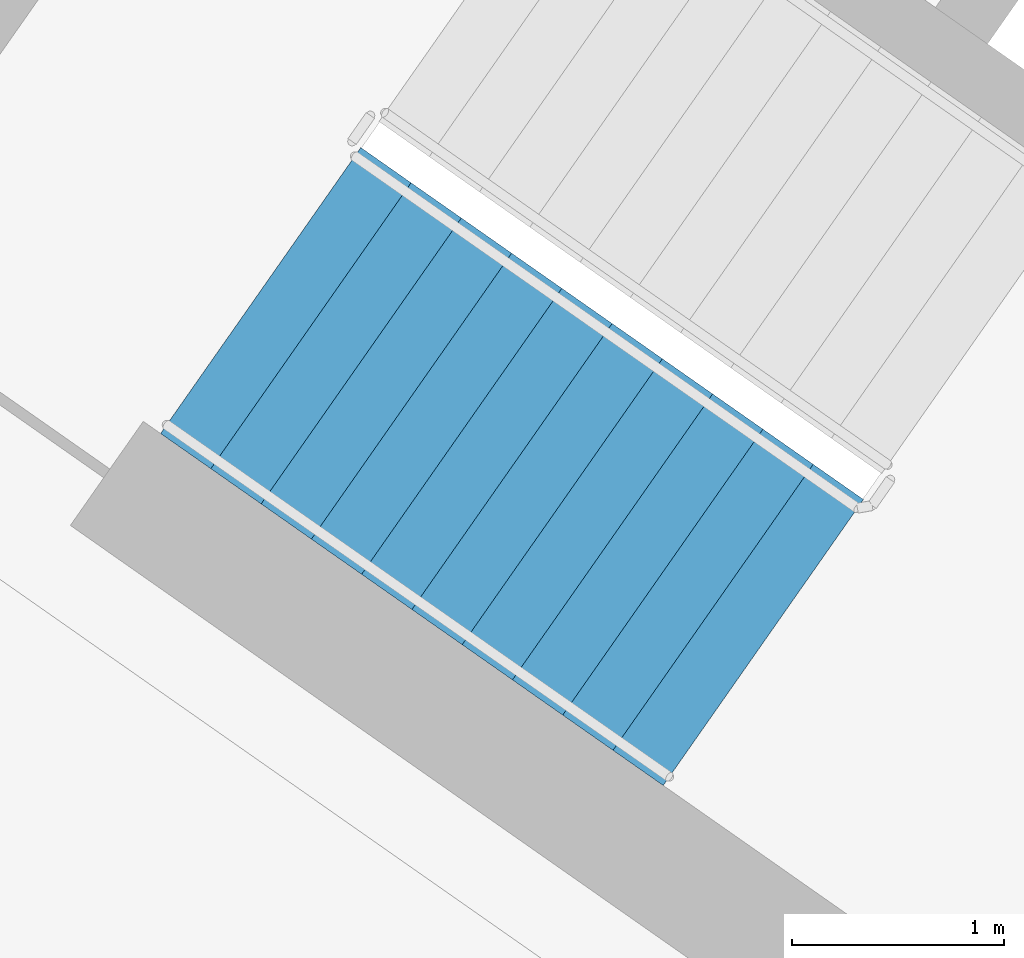
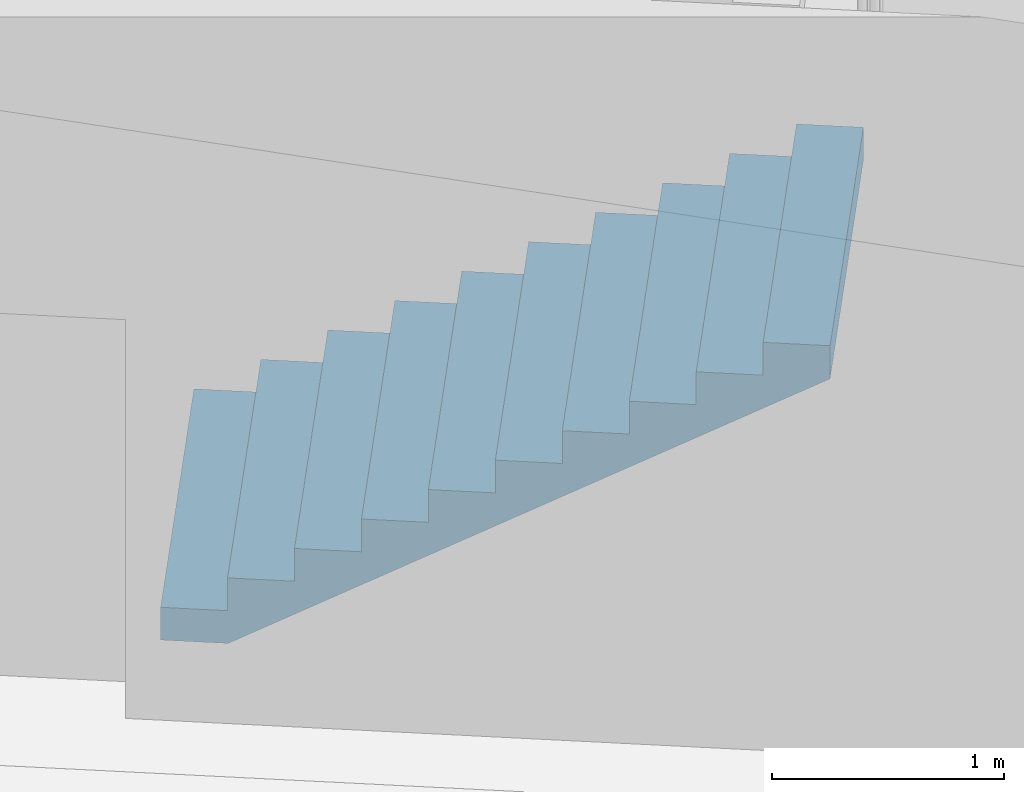
# One storey, part 9 of 27: 1 stair flight, 1 element without a shape of its own.
"""IFC4 building model written with IfcOpenShell, lengths in metres."""

import ifcopenshell
import ifcopenshell.guid

model = None  # the IFC model being written
_history = None  # IfcOwnerHistory: only IFC2X3 demands one
_inside = {}  # id of a spatial element -> (the spatial element, [elements in it])
_under = {}  # id of a project, library or spatial element -> (it, [spatial elements below it])
_declared = {}  # id of a project -> (the project, [libraries it declares])
_typed = {}  # id of a type object -> (the type object, [elements of that type])
_made_of = {}  # id of a material, layer set ... -> (it, [elements and type objects made of it])


def new_model(schema):
    """Start an empty IFC model of exactly this schema.

    Asked for "IFC4X3", IfcOpenShell would pick the latest addendum, in which some entities
    have other attributes; the version numbers below select the first issue.
    IFC2X3 requires an IfcOwnerHistory on every rooted entity: one is made here for all.
    """
    global model, _history
    if schema == "IFC4X3":
        model = ifcopenshell.file(schema_version=(4, 3, 0, 0))
    else:
        model = ifcopenshell.file(schema=schema)
    _inside.clear()
    _under.clear()
    _declared.clear()
    _typed.clear()
    _made_of.clear()
    _history = None
    if model.schema == "IFC2X3":
        org = make("IfcOrganization", Name="unknown")
        user = make(
            "IfcPersonAndOrganization",
            ThePerson=make("IfcPerson", FamilyName="unknown"),
            TheOrganization=org,
        )
        app = make(
            "IfcApplication",
            ApplicationDeveloper=org,
            Version="unknown",
            ApplicationFullName="unknown",
            ApplicationIdentifier="unknown",
        )
        _history = make(
            "IfcOwnerHistory",
            OwningUser=user,
            OwningApplication=app,
            ChangeAction="ADDED",
            CreationDate=0,
        )
    return model


def make(cls, **values):
    """One entity of the class cls with the attributes given. An attribute that is None is left unset."""
    return model.create_entity(
        cls, **{name: value for name, value in values.items() if value is not None}
    )


def rooted(cls, **values):
    """An entity with a GlobalId (a new one), such as an element, a storey or a relation."""
    return make(cls, GlobalId=ifcopenshell.guid.new(), OwnerHistory=_history, **values)


def si_unit(unit_type, name, prefix=None):
    """IfcSIUnit, for example si_unit("LENGTHUNIT", "METRE", prefix="MILLI")."""
    return make("IfcSIUnit", UnitType=unit_type, Prefix=prefix, Name=name)


def assignment(units):
    """IfcUnitAssignment: the units of a project."""
    return None if units is None else make("IfcUnitAssignment", Units=units)


def point(xyz):
    """IfcCartesianPoint."""
    return None if xyz is None else make("IfcCartesianPoint", Coordinates=xyz)


def direction(xyz):
    """IfcDirection."""
    return None if xyz is None else make("IfcDirection", DirectionRatios=xyz)


def frame(location, z_axis=None, x_axis=None):
    """IfcAxis2Placement3D, a coordinate frame: its origin and axes. An axis left out is left unset."""
    return make(
        "IfcAxis2Placement3D",
        Location=point(location),
        Axis=direction(z_axis),
        RefDirection=direction(x_axis),
    )


def origin():
    """The frame at (0, 0, 0) with its axes left unset."""
    return frame((0.0, 0.0, 0.0))


def place(relative_to, where):
    """IfcLocalPlacement: puts the frame where relative to a parent placement (None: the world)."""
    return make(
        "IfcLocalPlacement", PlacementRelTo=relative_to, RelativePlacement=where
    )


def context(
    kind, dimensions, precision=None, world=None, true_north=None, identifier=None
):
    """IfcGeometricRepresentationContext, for example the 3D "Model" context."""
    return make(
        "IfcGeometricRepresentationContext",
        ContextIdentifier=identifier,
        ContextType=kind,
        CoordinateSpaceDimension=dimensions,
        Precision=precision,
        WorldCoordinateSystem=world,
        TrueNorth=true_north,
    )


def subcontext(parent, identifier, kind, view, scale=None):
    """IfcGeometricRepresentationSubContext, for example "Body" below "Model"."""
    return make(
        "IfcGeometricRepresentationSubContext",
        ContextIdentifier=identifier,
        ContextType=kind,
        ParentContext=parent,
        TargetScale=scale,
        TargetView=view,
    )


def project(units=None, contexts=None):
    """IfcProject with its units and contexts."""
    return rooted(
        "IfcProject",
        Name="project",
        RepresentationContexts=contexts,
        UnitsInContext=assignment(units),
    )


def spatial(cls, under=None, at=None, **own):
    """A site, building, storey or space (cls), placed at a placement, below another one or the project."""
    s = rooted(cls, ObjectPlacement=at, **own)
    if under is not None:
        _under.setdefault(under.id(), (under, []))[1].append(s)
    return s


def faces_of(points, faces, orient=None, outer=None):
    """IfcFace entities. A face is a list of loops; a loop is a list of indices into points, from 0.

    orient and outer hold one flag for each loop. By default every Orientation is true, the
    first loop of a face is its IfcFaceOuterBound and the others are IfcFaceBound.
    """
    made = []
    for i, loops in enumerate(faces):
        bounds = []
        for j, loop in enumerate(loops):
            is_outer = j == 0 if outer is None else outer[i][j]
            bounds.append(
                make(
                    "IfcFaceOuterBound" if is_outer else "IfcFaceBound",
                    Bound=make("IfcPolyLoop", Polygon=[points[k] for k in loop]),
                    Orientation=True if orient is None else orient[i][j],
                )
            )
        made.append(make("IfcFace", Bounds=bounds))
    return made


def faceted_brep(points, faces, orient=None, outer=None, voids=None):
    """IfcFacetedBrep: a solid bounded by flat faces; with voids (closed shells), ...WithVoids."""
    shared = [point(p) for p in points]
    hull = make("IfcClosedShell", CfsFaces=faces_of(shared, faces, orient, outer))
    if voids is None:
        return make("IfcFacetedBrep", Outer=hull)
    return make(
        "IfcFacetedBrepWithVoids",
        Outer=hull,
        Voids=[
            make(cls, CfsFaces=faces_of(shared, fs, o, b)) for cls, fs, o, b in voids
        ],
    )


def shape(context_of_items, identifier, shape_type, items):
    """IfcShapeRepresentation: the items that make up one representation, for example the "Body"."""
    return make(
        "IfcShapeRepresentation",
        ContextOfItems=context_of_items,
        RepresentationIdentifier=identifier,
        RepresentationType=shape_type,
        Items=items,
    )


def material(Name=None, Category=None):
    """IfcMaterial."""
    return make("IfcMaterial", Name=Name, Category=Category)


def made_of(thing, what):
    """Note that an element or type object is made of a material, layer set ...; save() writes the relation."""
    if what is not None:
        _made_of.setdefault(what.id(), (what, []))[1].append(thing)
    return thing


def type_object(cls, material=None, **own):
    """A type object (cls), such as IfcWallType, which elements share."""
    return made_of(rooted(cls, **own), material)


def element(
    cls,
    number,
    at=None,
    inside=None,
    cuts=None,
    type_object=None,
    material=None,
    context=None,
    identifier="Body",
    shape_type=None,
    held_by="IfcProductDefinitionShape",
    body=None,
    shapes=None,
    **own,
):
    """One element of the class cls, such as IfcWall. Its Tag is "e" and its number.

    at: its placement. inside: the storey or other place that contains it. cuts: it is an
    opening in that element (IfcRelVoidsElement). A single representation is given by context,
    identifier, shape_type and body (its items); several are given by shapes. held_by: the class
    of the entity that holds the representations. save() writes the other relations.
    """
    e = rooted(cls, Tag="e%d" % number, ObjectPlacement=at, **own)
    if body is not None:
        shapes = [shape(context, identifier, shape_type, body)]
    if shapes is not None:
        e.Representation = make(held_by, Representations=shapes)
    if inside is not None:
        _inside.setdefault(inside.id(), (inside, []))[1].append(e)
    if cuts is not None:
        rooted(
            "IfcRelVoidsElement", RelatingBuildingElement=cuts, RelatedOpeningElement=e
        )
    if type_object is not None:
        _typed.setdefault(type_object.id(), (type_object, []))[1].append(e)
    return made_of(e, material)


def aggregate(whole, parts):
    """IfcRelAggregates: a whole, such as a stair, and the parts it consists of."""
    return rooted("IfcRelAggregates", RelatingObject=whole, RelatedObjects=parts)


def save(model, path):
    """Write the relations noted so far, then the file.

    IfcRelAggregates (storeys below a building ...), IfcRelContainedInSpatialStructure (elements
    in a storey), IfcRelDefinesByType, IfcRelAssociatesMaterial and IfcRelDeclares: one each for
    every whole, place, type object, material and project.
    """
    for whole, parts in _under.values():
        aggregate(whole, parts)
    for where, things in _inside.values():
        rooted(
            "IfcRelContainedInSpatialStructure",
            RelatedElements=things,
            RelatingStructure=where,
        )
    for kind, things in _typed.values():
        rooted("IfcRelDefinesByType", RelatedObjects=things, RelatingType=kind)
    for what, things in _made_of.values():
        rooted("IfcRelAssociatesMaterial", RelatedObjects=things, RelatingMaterial=what)
    for by, libraries in _declared.values():
        rooted("IfcRelDeclares", RelatingContext=by, RelatedDefinitions=libraries)
    model.write(path)


model = new_model("IFC4")

# Units and contexts
model_context = context("Model", 3, precision=1e-05, world=origin(), true_north=direction((0.0, 1.0)))
body_context = subcontext(model_context, "Body", "Model", "MODEL_VIEW")
ifc_project = project(units=[si_unit("LENGTHUNIT", "METRE"), si_unit("AREAUNIT", "SQUARE_METRE"), si_unit("VOLUMEUNIT", "CUBIC_METRE"), si_unit("PLANEANGLEUNIT", "RADIAN"), si_unit("MASSUNIT", "GRAM", prefix="KILO")], contexts=[model_context])

# Site, building, storey
site_placement = place(None, origin())
site = spatial("IfcSite", under=ifc_project, at=site_placement, CompositionType="ELEMENT")
building_placement = place(site_placement, origin())
building = spatial("IfcBuilding", under=site, at=building_placement, Name="Qamariyya Broadcast Tower", CompositionType="ELEMENT")
storey_placement = place(building_placement, frame((0.0, 0.0, 211.300048828125)))
storey = spatial("IfcBuildingStorey", under=building, at=storey_placement, Name="L50", CompositionType="ELEMENT", Elevation=211.300048828125)

# Stair, stair flight
ifc_material = material(Name="Concrete C50/60", Category="concrete")
stair_type = type_object("IfcStairType", Name="Exit stair 22 risers of 173 mm", PredefinedType="HALF_TURN_STAIR", material=ifc_material)
stair_placement = place(storey_placement, origin())
stair = element("IfcStair", 1, at=stair_placement, inside=storey, type_object=stair_type, Name="L50 Stair W1", PredefinedType="HALF_TURN_STAIR")
stair_flight_type = type_object("IfcStairFlightType", Name="Exit stair flight 11 risers of 173 mm", PredefinedType="STRAIGHT", material=ifc_material)
stair_flight_placement = place(storey_placement, frame((-47.06884765625, -56.982666015625, 0.0), z_axis=(0.0, 0.0, 1.0), x_axis=(0.819152044289, -0.573576436351, 0.0)))
stair_flight = element("IfcStairFlight", 2, at=stair_flight_placement, type_object=stair_flight_type, Name="ST-W1 flight 1", NumberOfRisers=11, NumberOfTreads=10, PredefinedType="STRAIGHT", RiserHeight=0.172727273, TreadLength=0.29, context=body_context, shape_type="Brep", body=[
    faceted_brep([(0.0, 0.824951171875, 0.0), (0.0, 0.824951171875, 0.172607421875), (0.2900390625, 0.824951171875, 0.172607421875), (0.2900390625, 0.824951171875, 0.345458984375), (0.580078125, 0.824951171875, 0.345458984375), (0.580078125, 0.824951171875, 0.51806640625), (0.8701171875, 0.824951171875, 0.51806640625), (0.8701171875, 0.824951171875, 0.69091796875), (1.159912109375, 0.824951171875, 0.69091796875), (1.159912109375, 0.824951171875, 0.863525390625), (1.449951171875, 0.824951171875, 0.863525390625), (1.449951171875, 0.824951171875, 1.036376953125), (1.739990234375, 0.824951171875, 1.036376953125), (1.739990234375, 0.824951171875, 1.208984375), (2.030029296875, 0.824951171875, 1.208984375), (2.030029296875, 0.824951171875, 1.3818359375), (2.320068359375, 0.824951171875, 1.3818359375), (2.320068359375, 0.824951171875, 1.554443359375), (2.610107421875, 0.824951171875, 1.554443359375), (2.610107421875, 0.824951171875, 1.727294921875), (2.89990234375, 0.824951171875, 1.727294921875), (2.89990234375, 0.824951171875, 1.552734375), (0.29296875, 0.824951171875, 0.0), (0.29296875, -0.824951171875, 0.0), (2.89990234375, -0.824951171875, 1.552734375), (2.89990234375, -0.824951171875, 1.727294921875), (2.610107421875, -0.824951171875, 1.727294921875), (2.610107421875, -0.824951171875, 1.554443359375), (2.320068359375, -0.824951171875, 1.554443359375), (2.320068359375, -0.824951171875, 1.3818359375), (2.030029296875, -0.824951171875, 1.3818359375), (2.030029296875, -0.824951171875, 1.208984375), (1.739990234375, -0.824951171875, 1.208984375), (1.739990234375, -0.824951171875, 1.036376953125), (1.449951171875, -0.824951171875, 1.036376953125), (1.449951171875, -0.824951171875, 0.863525390625), (1.159912109375, -0.824951171875, 0.863525390625), (1.159912109375, -0.824951171875, 0.69091796875), (0.8701171875, -0.824951171875, 0.69091796875), (0.8701171875, -0.824951171875, 0.51806640625), (0.580078125, -0.824951171875, 0.51806640625), (0.580078125, -0.824951171875, 0.345458984375), (0.2900390625, -0.824951171875, 0.345458984375), (0.2900390625, -0.824951171875, 0.172607421875), (0.0, -0.824951171875, 0.172607421875), (0.0, -0.824951171875, 0.0), (0.0, 0.10009765625, 0.0), (0.0, 0.086669921875, 0.0), (0.0, 0.0732421875, 0.0), (0.0, 0.06005859375, 0.0), (0.0, 0.046630859375, 0.0), (0.0, 0.033447265625, 0.0), (0.0, 0.02001953125, 0.0), (0.0, 0.006591796875, 0.0), (0.0, -0.006591796875, 0.0), (0.0, -0.02001953125, 0.0), (0.0, -0.033447265625, 0.0), (0.0, -0.046630859375, 0.0), (0.0, -0.06005859375, 0.0), (0.0, -0.0732421875, 0.0), (0.0, -0.086669921875, 0.0), (0.0, -0.10009765625, 0.0), (0.0, -0.10009765625, 0.172607421875), (0.0, -0.086669921875, 0.172607421875), (0.0, -0.0732421875, 0.172607421875), (0.0, -0.06005859375, 0.172607421875), (0.0, -0.046630859375, 0.172607421875), (0.0, -0.033447265625, 0.172607421875), (0.0, -0.02001953125, 0.172607421875), (0.0, -0.006591796875, 0.172607421875), (0.0, 0.006591796875, 0.172607421875), (0.0, 0.02001953125, 0.172607421875), (0.0, 0.033447265625, 0.172607421875), (0.0, 0.046630859375, 0.172607421875), (0.0, 0.06005859375, 0.172607421875), (0.0, 0.0732421875, 0.172607421875), (0.0, 0.086669921875, 0.172607421875), (0.0, 0.10009765625, 0.172607421875), (0.2900390625, -0.10009765625, 0.172607421875), (0.2900390625, -0.086669921875, 0.172607421875), (0.2900390625, -0.0732421875, 0.172607421875), (0.2900390625, -0.06005859375, 0.172607421875), (0.2900390625, -0.046630859375, 0.172607421875), (0.2900390625, -0.033447265625, 0.172607421875), (0.2900390625, -0.02001953125, 0.172607421875), (0.2900390625, -0.006591796875, 0.172607421875), (0.2900390625, 0.006591796875, 0.172607421875), (0.2900390625, 0.02001953125, 0.172607421875), (0.2900390625, 0.033447265625, 0.172607421875), (0.2900390625, 0.046630859375, 0.172607421875), (0.2900390625, 0.06005859375, 0.172607421875), (0.2900390625, 0.0732421875, 0.172607421875), (0.2900390625, 0.086669921875, 0.172607421875), (0.2900390625, 0.10009765625, 0.172607421875), (0.2900390625, -0.10009765625, 0.345458984375), (0.2900390625, -0.086669921875, 0.345458984375), (0.2900390625, -0.0732421875, 0.345458984375), (0.2900390625, -0.06005859375, 0.345458984375), (0.2900390625, -0.046630859375, 0.345458984375), (0.2900390625, -0.033447265625, 0.345458984375), (0.2900390625, -0.02001953125, 0.345458984375), (0.2900390625, -0.006591796875, 0.345458984375), (0.2900390625, 0.006591796875, 0.345458984375), (0.2900390625, 0.02001953125, 0.345458984375), (0.2900390625, 0.033447265625, 0.345458984375), (0.2900390625, 0.046630859375, 0.345458984375), (0.2900390625, 0.06005859375, 0.345458984375), (0.2900390625, 0.0732421875, 0.345458984375), (0.2900390625, 0.086669921875, 0.345458984375), (0.2900390625, 0.10009765625, 0.345458984375), (0.580078125, -0.10009765625, 0.345458984375), (0.580078125, -0.086669921875, 0.345458984375), (0.580078125, -0.0732421875, 0.345458984375), (0.580078125, -0.06005859375, 0.345458984375), (0.580078125, -0.046630859375, 0.345458984375), (0.580078125, -0.033447265625, 0.345458984375), (0.580078125, -0.02001953125, 0.345458984375), (0.580078125, -0.006591796875, 0.345458984375), (0.580078125, 0.006591796875, 0.345458984375), (0.580078125, 0.02001953125, 0.345458984375), (0.580078125, 0.033447265625, 0.345458984375), (0.580078125, 0.046630859375, 0.345458984375), (0.580078125, 0.06005859375, 0.345458984375), (0.580078125, 0.0732421875, 0.345458984375), (0.580078125, 0.086669921875, 0.345458984375), (0.580078125, 0.10009765625, 0.345458984375), (0.580078125, -0.10009765625, 0.51806640625), (0.580078125, -0.086669921875, 0.51806640625), (0.580078125, -0.0732421875, 0.51806640625), (0.580078125, -0.06005859375, 0.51806640625), (0.580078125, -0.046630859375, 0.51806640625), (0.580078125, -0.033447265625, 0.51806640625), (0.580078125, -0.02001953125, 0.51806640625), (0.580078125, -0.006591796875, 0.51806640625), (0.580078125, 0.006591796875, 0.51806640625), (0.580078125, 0.02001953125, 0.51806640625), (0.580078125, 0.033447265625, 0.51806640625), (0.580078125, 0.046630859375, 0.51806640625), (0.580078125, 0.06005859375, 0.51806640625), (0.580078125, 0.0732421875, 0.51806640625), (0.580078125, 0.086669921875, 0.51806640625), (0.580078125, 0.10009765625, 0.51806640625), (0.8701171875, -0.10009765625, 0.51806640625), (0.8701171875, -0.086669921875, 0.51806640625), (0.8701171875, -0.0732421875, 0.51806640625), (0.8701171875, -0.06005859375, 0.51806640625), (0.8701171875, -0.046630859375, 0.51806640625), (0.8701171875, -0.033447265625, 0.51806640625), (0.8701171875, -0.02001953125, 0.51806640625), (0.8701171875, -0.006591796875, 0.51806640625), (0.8701171875, 0.006591796875, 0.51806640625), (0.8701171875, 0.02001953125, 0.51806640625), (0.8701171875, 0.033447265625, 0.51806640625), (0.8701171875, 0.046630859375, 0.51806640625), (0.8701171875, 0.06005859375, 0.51806640625), (0.8701171875, 0.0732421875, 0.51806640625), (0.8701171875, 0.086669921875, 0.51806640625), (0.8701171875, 0.10009765625, 0.51806640625), (0.8701171875, -0.10009765625, 0.69091796875), (0.8701171875, -0.086669921875, 0.69091796875), (0.8701171875, -0.0732421875, 0.69091796875), (0.8701171875, -0.06005859375, 0.69091796875), (0.8701171875, -0.046630859375, 0.69091796875), (0.8701171875, -0.033447265625, 0.69091796875), (0.8701171875, -0.02001953125, 0.69091796875), (0.8701171875, -0.006591796875, 0.69091796875), (0.8701171875, 0.006591796875, 0.69091796875), (0.8701171875, 0.02001953125, 0.69091796875), (0.8701171875, 0.033447265625, 0.69091796875), (0.8701171875, 0.046630859375, 0.69091796875), (0.8701171875, 0.06005859375, 0.69091796875), (0.8701171875, 0.0732421875, 0.69091796875), (0.8701171875, 0.086669921875, 0.69091796875), (0.8701171875, 0.10009765625, 0.69091796875), (1.159912109375, -0.10009765625, 0.69091796875), (1.159912109375, -0.086669921875, 0.69091796875), (1.159912109375, -0.0732421875, 0.69091796875), (1.159912109375, -0.06005859375, 0.69091796875), (1.159912109375, -0.046630859375, 0.69091796875), (1.159912109375, -0.033447265625, 0.69091796875), (1.159912109375, -0.02001953125, 0.69091796875), (1.159912109375, -0.006591796875, 0.69091796875), (1.159912109375, 0.006591796875, 0.69091796875), (1.159912109375, 0.02001953125, 0.69091796875), (1.159912109375, 0.033447265625, 0.69091796875), (1.159912109375, 0.046630859375, 0.69091796875), (1.159912109375, 0.06005859375, 0.69091796875), (1.159912109375, 0.0732421875, 0.69091796875), (1.159912109375, 0.086669921875, 0.69091796875), (1.159912109375, 0.10009765625, 0.69091796875), (1.159912109375, -0.10009765625, 0.863525390625), (1.159912109375, -0.086669921875, 0.863525390625), (1.159912109375, -0.0732421875, 0.863525390625), (1.159912109375, -0.06005859375, 0.863525390625), (1.159912109375, -0.046630859375, 0.863525390625), (1.159912109375, -0.033447265625, 0.863525390625), (1.159912109375, -0.02001953125, 0.863525390625), (1.159912109375, -0.006591796875, 0.863525390625), (1.159912109375, 0.006591796875, 0.863525390625), (1.159912109375, 0.02001953125, 0.863525390625), (1.159912109375, 0.033447265625, 0.863525390625), (1.159912109375, 0.046630859375, 0.863525390625), (1.159912109375, 0.06005859375, 0.863525390625), (1.159912109375, 0.0732421875, 0.863525390625), (1.159912109375, 0.086669921875, 0.863525390625), (1.159912109375, 0.10009765625, 0.863525390625), (1.449951171875, -0.10009765625, 0.863525390625), (1.449951171875, -0.086669921875, 0.863525390625), (1.449951171875, -0.0732421875, 0.863525390625), (1.449951171875, -0.06005859375, 0.863525390625), (1.449951171875, -0.046630859375, 0.863525390625), (1.449951171875, -0.033447265625, 0.863525390625), (1.449951171875, -0.02001953125, 0.863525390625), (1.449951171875, -0.006591796875, 0.863525390625), (1.449951171875, 0.006591796875, 0.863525390625), (1.449951171875, 0.02001953125, 0.863525390625), (1.449951171875, 0.033447265625, 0.863525390625), (1.449951171875, 0.046630859375, 0.863525390625), (1.449951171875, 0.06005859375, 0.863525390625), (1.449951171875, 0.0732421875, 0.863525390625), (1.449951171875, 0.086669921875, 0.863525390625), (1.449951171875, 0.10009765625, 0.863525390625), (1.449951171875, -0.10009765625, 1.036376953125), (1.449951171875, -0.086669921875, 1.036376953125), (1.449951171875, -0.0732421875, 1.036376953125), (1.449951171875, -0.06005859375, 1.036376953125), (1.449951171875, -0.046630859375, 1.036376953125), (1.449951171875, -0.033447265625, 1.036376953125), (1.449951171875, -0.02001953125, 1.036376953125), (1.449951171875, -0.006591796875, 1.036376953125), (1.449951171875, 0.006591796875, 1.036376953125), (1.449951171875, 0.02001953125, 1.036376953125), (1.449951171875, 0.033447265625, 1.036376953125), (1.449951171875, 0.046630859375, 1.036376953125), (1.449951171875, 0.06005859375, 1.036376953125), (1.449951171875, 0.0732421875, 1.036376953125), (1.449951171875, 0.086669921875, 1.036376953125), (1.449951171875, 0.10009765625, 1.036376953125), (1.739990234375, -0.10009765625, 1.036376953125), (1.739990234375, -0.086669921875, 1.036376953125), (1.739990234375, -0.0732421875, 1.036376953125), (1.739990234375, -0.06005859375, 1.036376953125), (1.739990234375, -0.046630859375, 1.036376953125), (1.739990234375, -0.033447265625, 1.036376953125), (1.739990234375, -0.02001953125, 1.036376953125), (1.739990234375, -0.006591796875, 1.036376953125), (1.739990234375, 0.006591796875, 1.036376953125), (1.739990234375, 0.02001953125, 1.036376953125), (1.739990234375, 0.033447265625, 1.036376953125), (1.739990234375, 0.046630859375, 1.036376953125), (1.739990234375, 0.06005859375, 1.036376953125), (1.739990234375, 0.0732421875, 1.036376953125), (1.739990234375, 0.086669921875, 1.036376953125), (1.739990234375, 0.10009765625, 1.036376953125), (1.739990234375, -0.10009765625, 1.208984375), (1.739990234375, -0.086669921875, 1.208984375), (1.739990234375, -0.0732421875, 1.208984375), (1.739990234375, -0.06005859375, 1.208984375), (1.739990234375, -0.046630859375, 1.208984375), (1.739990234375, -0.033447265625, 1.208984375), (1.739990234375, -0.02001953125, 1.208984375), (1.739990234375, -0.006591796875, 1.208984375), (1.739990234375, 0.006591796875, 1.208984375), (1.739990234375, 0.02001953125, 1.208984375), (1.739990234375, 0.033447265625, 1.208984375), (1.739990234375, 0.046630859375, 1.208984375), (1.739990234375, 0.06005859375, 1.208984375), (1.739990234375, 0.0732421875, 1.208984375), (1.739990234375, 0.086669921875, 1.208984375), (1.739990234375, 0.10009765625, 1.208984375), (2.030029296875, -0.10009765625, 1.208984375), (2.030029296875, -0.086669921875, 1.208984375), (2.030029296875, -0.0732421875, 1.208984375), (2.030029296875, -0.06005859375, 1.208984375), (2.030029296875, -0.046630859375, 1.208984375), (2.030029296875, -0.033447265625, 1.208984375), (2.030029296875, -0.02001953125, 1.208984375), (2.030029296875, -0.006591796875, 1.208984375), (2.030029296875, 0.006591796875, 1.208984375), (2.030029296875, 0.02001953125, 1.208984375), (2.030029296875, 0.033447265625, 1.208984375), (2.030029296875, 0.046630859375, 1.208984375), (2.030029296875, 0.06005859375, 1.208984375), (2.030029296875, 0.0732421875, 1.208984375), (2.030029296875, 0.086669921875, 1.208984375), (2.030029296875, 0.10009765625, 1.208984375), (2.030029296875, -0.10009765625, 1.3818359375), (2.030029296875, -0.086669921875, 1.3818359375), (2.030029296875, -0.0732421875, 1.3818359375), (2.030029296875, -0.06005859375, 1.3818359375), (2.030029296875, -0.046630859375, 1.3818359375), (2.030029296875, -0.033447265625, 1.3818359375), (2.030029296875, -0.02001953125, 1.3818359375), (2.030029296875, -0.006591796875, 1.3818359375), (2.030029296875, 0.006591796875, 1.3818359375), (2.030029296875, 0.02001953125, 1.3818359375), (2.030029296875, 0.033447265625, 1.3818359375), (2.030029296875, 0.046630859375, 1.3818359375), (2.030029296875, 0.06005859375, 1.3818359375), (2.030029296875, 0.0732421875, 1.3818359375), (2.030029296875, 0.086669921875, 1.3818359375), (2.030029296875, 0.10009765625, 1.3818359375), (2.320068359375, -0.10009765625, 1.3818359375), (2.320068359375, -0.086669921875, 1.3818359375), (2.320068359375, -0.0732421875, 1.3818359375), (2.320068359375, -0.06005859375, 1.3818359375), (2.320068359375, -0.046630859375, 1.3818359375), (2.320068359375, -0.033447265625, 1.3818359375), (2.320068359375, -0.02001953125, 1.3818359375), (2.320068359375, -0.006591796875, 1.3818359375), (2.320068359375, 0.006591796875, 1.3818359375), (2.320068359375, 0.02001953125, 1.3818359375), (2.320068359375, 0.033447265625, 1.3818359375), (2.320068359375, 0.046630859375, 1.3818359375), (2.320068359375, 0.06005859375, 1.3818359375), (2.320068359375, 0.0732421875, 1.3818359375), (2.320068359375, 0.086669921875, 1.3818359375), (2.320068359375, 0.10009765625, 1.3818359375), (2.320068359375, -0.10009765625, 1.554443359375), (2.320068359375, -0.086669921875, 1.554443359375), (2.320068359375, -0.0732421875, 1.554443359375), (2.320068359375, -0.06005859375, 1.554443359375), (2.320068359375, -0.046630859375, 1.554443359375), (2.320068359375, -0.033447265625, 1.554443359375), (2.320068359375, -0.02001953125, 1.554443359375), (2.320068359375, -0.006591796875, 1.554443359375), (2.320068359375, 0.006591796875, 1.554443359375), (2.320068359375, 0.02001953125, 1.554443359375), (2.320068359375, 0.033447265625, 1.554443359375), (2.320068359375, 0.046630859375, 1.554443359375), (2.320068359375, 0.06005859375, 1.554443359375), (2.320068359375, 0.0732421875, 1.554443359375), (2.320068359375, 0.086669921875, 1.554443359375), (2.320068359375, 0.10009765625, 1.554443359375), (2.610107421875, -0.10009765625, 1.554443359375), (2.610107421875, -0.086669921875, 1.554443359375), (2.610107421875, -0.0732421875, 1.554443359375), (2.610107421875, -0.06005859375, 1.554443359375), (2.610107421875, -0.046630859375, 1.554443359375), (2.610107421875, -0.033447265625, 1.554443359375), (2.610107421875, -0.02001953125, 1.554443359375), (2.610107421875, -0.006591796875, 1.554443359375), (2.610107421875, 0.006591796875, 1.554443359375), (2.610107421875, 0.02001953125, 1.554443359375), (2.610107421875, 0.033447265625, 1.554443359375), (2.610107421875, 0.046630859375, 1.554443359375), (2.610107421875, 0.06005859375, 1.554443359375), (2.610107421875, 0.0732421875, 1.554443359375), (2.610107421875, 0.086669921875, 1.554443359375), (2.610107421875, 0.10009765625, 1.554443359375), (2.610107421875, -0.10009765625, 1.727294921875), (2.610107421875, -0.086669921875, 1.727294921875), (2.610107421875, -0.0732421875, 1.727294921875), (2.610107421875, -0.06005859375, 1.727294921875), (2.610107421875, -0.046630859375, 1.727294921875), (2.610107421875, -0.033447265625, 1.727294921875), (2.610107421875, -0.02001953125, 1.727294921875), (2.610107421875, -0.006591796875, 1.727294921875), (2.610107421875, 0.006591796875, 1.727294921875), (2.610107421875, 0.02001953125, 1.727294921875), (2.610107421875, 0.033447265625, 1.727294921875), (2.610107421875, 0.046630859375, 1.727294921875), (2.610107421875, 0.06005859375, 1.727294921875), (2.610107421875, 0.0732421875, 1.727294921875), (2.610107421875, 0.086669921875, 1.727294921875), (2.610107421875, 0.10009765625, 1.727294921875), (2.89990234375, -0.10009765625, 1.727294921875), (2.89990234375, -0.086669921875, 1.727294921875), (2.89990234375, -0.0732421875, 1.727294921875), (2.89990234375, -0.06005859375, 1.727294921875), (2.89990234375, -0.046630859375, 1.727294921875), (2.89990234375, -0.033447265625, 1.727294921875), (2.89990234375, -0.02001953125, 1.727294921875), (2.89990234375, -0.006591796875, 1.727294921875), (2.89990234375, 0.006591796875, 1.727294921875), (2.89990234375, 0.02001953125, 1.727294921875), (2.89990234375, 0.033447265625, 1.727294921875), (2.89990234375, 0.046630859375, 1.727294921875), (2.89990234375, 0.06005859375, 1.727294921875), (2.89990234375, 0.0732421875, 1.727294921875), (2.89990234375, 0.086669921875, 1.727294921875), (2.89990234375, 0.10009765625, 1.727294921875), (2.89990234375, -0.10009765625, 1.552734375), (2.89990234375, -0.086669921875, 1.552734375), (2.89990234375, -0.0732421875, 1.552734375), (2.89990234375, -0.06005859375, 1.552734375), (2.89990234375, -0.046630859375, 1.552734375), (2.89990234375, -0.033447265625, 1.552734375), (2.89990234375, -0.02001953125, 1.552734375), (2.89990234375, -0.006591796875, 1.552734375), (2.89990234375, 0.006591796875, 1.552734375), (2.89990234375, 0.02001953125, 1.552734375), (2.89990234375, 0.033447265625, 1.552734375), (2.89990234375, 0.046630859375, 1.552734375), (2.89990234375, 0.06005859375, 1.552734375), (2.89990234375, 0.0732421875, 1.552734375), (2.89990234375, 0.086669921875, 1.552734375), (2.89990234375, 0.10009765625, 1.552734375), (0.29296875, -0.10009765625, 0.0), (0.29296875, -0.086669921875, 0.0), (0.29296875, -0.0732421875, 0.0), (0.29296875, -0.06005859375, 0.0), (0.29296875, -0.046630859375, 0.0), (0.29296875, -0.033447265625, 0.0), (0.29296875, -0.02001953125, 0.0), (0.29296875, -0.006591796875, 0.0), (0.29296875, 0.006591796875, 0.0), (0.29296875, 0.02001953125, 0.0), (0.29296875, 0.033447265625, 0.0), (0.29296875, 0.046630859375, 0.0), (0.29296875, 0.06005859375, 0.0), (0.29296875, 0.0732421875, 0.0), (0.29296875, 0.086669921875, 0.0), (0.29296875, 0.10009765625, 0.0)], [[[0, 1, 2, 3, 4, 5, 6, 7, 8, 9, 10, 11, 12, 13, 14, 15, 16, 17, 18, 19, 20, 21, 22]], [[23, 24, 25, 26, 27, 28, 29, 30, 31, 32, 33, 34, 35, 36, 37, 38, 39, 40, 41, 42, 43, 44, 45]], [[0, 46, 47, 48, 49, 50, 51, 52, 53, 54, 55, 56, 57, 58, 59, 60, 61, 45, 44, 62, 63, 64, 65, 66, 67, 68, 69, 70, 71, 72, 73, 74, 75, 76, 77, 1]], [[1, 77, 76, 75, 74, 73, 72, 71, 70, 69, 68, 67, 66, 65, 64, 63, 62, 44, 43, 78, 79, 80, 81, 82, 83, 84, 85, 86, 87, 88, 89, 90, 91, 92, 93, 2]], [[2, 93, 92, 91, 90, 89, 88, 87, 86, 85, 84, 83, 82, 81, 80, 79, 78, 43, 42, 94, 95, 96, 97, 98, 99, 100, 101, 102, 103, 104, 105, 106, 107, 108, 109, 3]], [[3, 109, 108, 107, 106, 105, 104, 103, 102, 101, 100, 99, 98, 97, 96, 95, 94, 42, 41, 110, 111, 112, 113, 114, 115, 116, 117, 118, 119, 120, 121, 122, 123, 124, 125, 4]], [[4, 125, 124, 123, 122, 121, 120, 119, 118, 117, 116, 115, 114, 113, 112, 111, 110, 41, 40, 126, 127, 128, 129, 130, 131, 132, 133, 134, 135, 136, 137, 138, 139, 140, 141, 5]], [[5, 141, 140, 139, 138, 137, 136, 135, 134, 133, 132, 131, 130, 129, 128, 127, 126, 40, 39, 142, 143, 144, 145, 146, 147, 148, 149, 150, 151, 152, 153, 154, 155, 156, 157, 6]], [[6, 157, 156, 155, 154, 153, 152, 151, 150, 149, 148, 147, 146, 145, 144, 143, 142, 39, 38, 158, 159, 160, 161, 162, 163, 164, 165, 166, 167, 168, 169, 170, 171, 172, 173, 7]], [[7, 173, 172, 171, 170, 169, 168, 167, 166, 165, 164, 163, 162, 161, 160, 159, 158, 38, 37, 174, 175, 176, 177, 178, 179, 180, 181, 182, 183, 184, 185, 186, 187, 188, 189, 8]], [[8, 189, 188, 187, 186, 185, 184, 183, 182, 181, 180, 179, 178, 177, 176, 175, 174, 37, 36, 190, 191, 192, 193, 194, 195, 196, 197, 198, 199, 200, 201, 202, 203, 204, 205, 9]], [[9, 205, 204, 203, 202, 201, 200, 199, 198, 197, 196, 195, 194, 193, 192, 191, 190, 36, 35, 206, 207, 208, 209, 210, 211, 212, 213, 214, 215, 216, 217, 218, 219, 220, 221, 10]], [[10, 221, 220, 219, 218, 217, 216, 215, 214, 213, 212, 211, 210, 209, 208, 207, 206, 35, 34, 222, 223, 224, 225, 226, 227, 228, 229, 230, 231, 232, 233, 234, 235, 236, 237, 11]], [[11, 237, 236, 235, 234, 233, 232, 231, 230, 229, 228, 227, 226, 225, 224, 223, 222, 34, 33, 238, 239, 240, 241, 242, 243, 244, 245, 246, 247, 248, 249, 250, 251, 252, 253, 12]], [[12, 253, 252, 251, 250, 249, 248, 247, 246, 245, 244, 243, 242, 241, 240, 239, 238, 33, 32, 254, 255, 256, 257, 258, 259, 260, 261, 262, 263, 264, 265, 266, 267, 268, 269, 13]], [[13, 269, 268, 267, 266, 265, 264, 263, 262, 261, 260, 259, 258, 257, 256, 255, 254, 32, 31, 270, 271, 272, 273, 274, 275, 276, 277, 278, 279, 280, 281, 282, 283, 284, 285, 14]], [[14, 285, 284, 283, 282, 281, 280, 279, 278, 277, 276, 275, 274, 273, 272, 271, 270, 31, 30, 286, 287, 288, 289, 290, 291, 292, 293, 294, 295, 296, 297, 298, 299, 300, 301, 15]], [[15, 301, 300, 299, 298, 297, 296, 295, 294, 293, 292, 291, 290, 289, 288, 287, 286, 30, 29, 302, 303, 304, 305, 306, 307, 308, 309, 310, 311, 312, 313, 314, 315, 316, 317, 16]], [[16, 317, 316, 315, 314, 313, 312, 311, 310, 309, 308, 307, 306, 305, 304, 303, 302, 29, 28, 318, 319, 320, 321, 322, 323, 324, 325, 326, 327, 328, 329, 330, 331, 332, 333, 17]], [[17, 333, 332, 331, 330, 329, 328, 327, 326, 325, 324, 323, 322, 321, 320, 319, 318, 28, 27, 334, 335, 336, 337, 338, 339, 340, 341, 342, 343, 344, 345, 346, 347, 348, 349, 18]], [[18, 349, 348, 347, 346, 345, 344, 343, 342, 341, 340, 339, 338, 337, 336, 335, 334, 27, 26, 350, 351, 352, 353, 354, 355, 356, 357, 358, 359, 360, 361, 362, 363, 364, 365, 19]], [[19, 365, 364, 363, 362, 361, 360, 359, 358, 357, 356, 355, 354, 353, 352, 351, 350, 26, 25, 366, 367, 368, 369, 370, 371, 372, 373, 374, 375, 376, 377, 378, 379, 380, 381, 20]], [[20, 381, 380, 379, 378, 377, 376, 375, 374, 373, 372, 371, 370, 369, 368, 367, 366, 25, 24, 382, 383, 384, 385, 386, 387, 388, 389, 390, 391, 392, 393, 394, 395, 396, 397, 21]], [[21, 397, 396, 395, 394, 393, 392, 391, 390, 389, 388, 387, 386, 385, 384, 383, 382, 24, 23, 398, 399, 400, 401, 402, 403, 404, 405, 406, 407, 408, 409, 410, 411, 412, 413, 22]], [[22, 413, 412, 411, 410, 409, 408, 407, 406, 405, 404, 403, 402, 401, 400, 399, 398, 23, 45, 61, 60, 59, 58, 57, 56, 55, 54, 53, 52, 51, 50, 49, 48, 47, 46, 0]]]),
])
aggregate(stair, [stair_flight])

save(model, "model.ifc")
